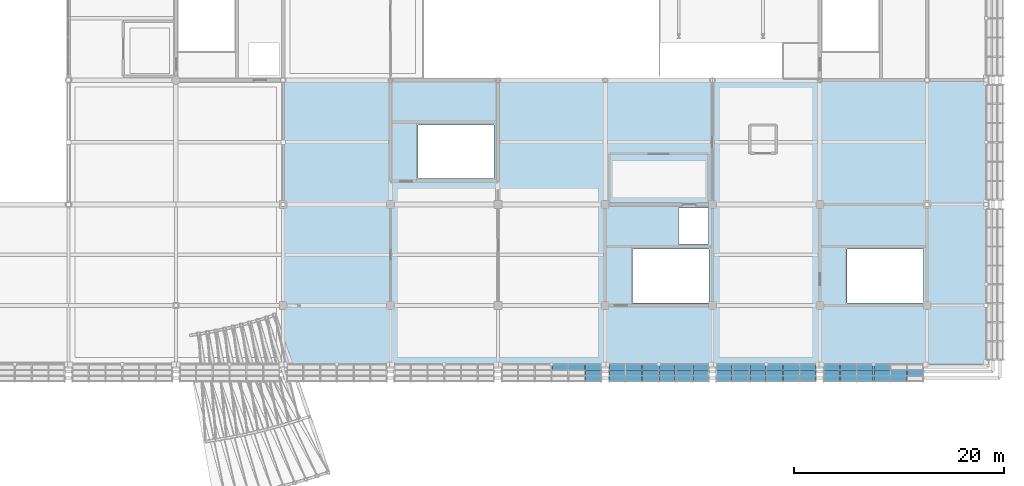
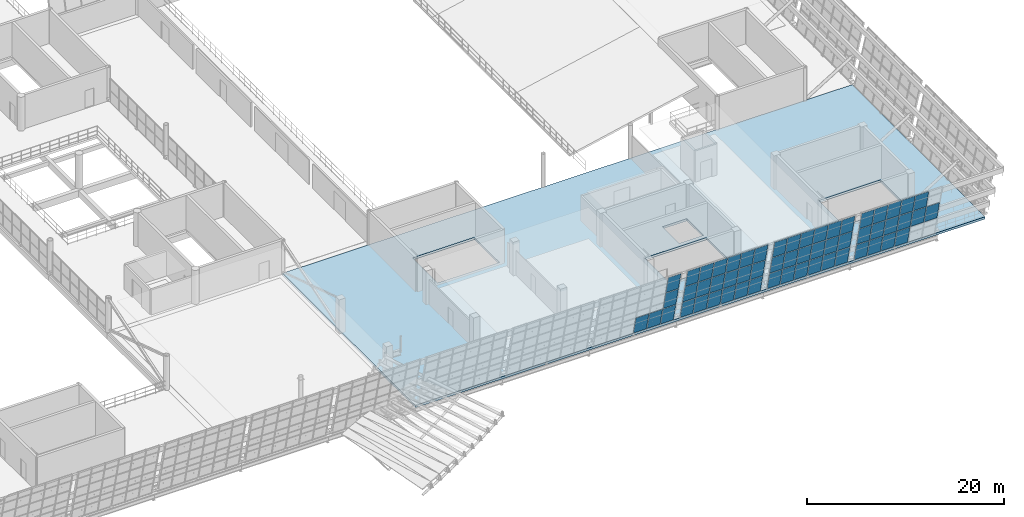
# One storey, part 113 of 157: 56 plates, 1 slab, 4 elements without a shape of their own.
"""IFC4 building model written with IfcOpenShell, lengths in metres."""

from ifc_helpers import new_model, si_unit, direction, frame, origin, place, context, subcontext, project, spatial, polyline, outline, extrude, material, layer, layer_set, type_object, element, aggregate, save


model = new_model("IFC4")

# Units and contexts
model_context = context("Model", 3, precision=1e-05, world=origin(), true_north=direction((0.0, 1.0)))
body_context = subcontext(model_context, "Body", "Model", "MODEL_VIEW")
ifc_project = project(units=[si_unit("LENGTHUNIT", "METRE"), si_unit("AREAUNIT", "SQUARE_METRE"), si_unit("VOLUMEUNIT", "CUBIC_METRE"), si_unit("PLANEANGLEUNIT", "RADIAN"), si_unit("MASSUNIT", "GRAM", prefix="KILO")], contexts=[model_context])

# Site, building, storey
site_placement = place(None, origin())
site = spatial("IfcSite", under=ifc_project, at=site_placement, CompositionType="ELEMENT")
building_placement = place(site_placement, origin())
building = spatial("IfcBuilding", under=site, at=building_placement, Name="Brelvane Convention Centre", CompositionType="ELEMENT")
storey_placement = place(building_placement, frame((0.0, 0.0, 10.800048828125)))
storey = spatial("IfcBuildingStorey", under=building, at=storey_placement, Name="L02", CompositionType="ELEMENT", Elevation=10.800048828125)

# Curtain wall, plates
ifc_material_1 = material(Name="Anodised Aluminium Alloy 6063-T6", Category="aluminium")
curtain_wall_type = type_object("IfcCurtainWallType", Name="Curtain Wall CW-HULL-S", PredefinedType="USERDEFINED", material=ifc_material_1)
curtain_wall_1_placement = place(storey_placement, origin())
curtain_wall_1 = element("IfcCurtainWall", 1, at=curtain_wall_1_placement, inside=storey, type_object=curtain_wall_type, Name="Curtain Wall CW-HULL-S L02-HULL-S-L02-19", ObjectType="UNITISED", PredefinedType="USERDEFINED")
ifc_material_2 = material(Name="Double Glazed Low-E Laminated Unit")
ifc_layer_1 = layer(ifc_material_2, 0.0380859375)
ifc_layer_set_1 = layer_set([ifc_layer_1], Name="Double Glazed Low-E Laminated Unit")
plate_type_1 = type_object("IfcPlateType", Name="Curtain Panel CW-PG2", PredefinedType="CURTAIN_PANEL", material=ifc_layer_set_1)
plate_1_placement = place(storey_placement, frame((191.9267578125, 13.05517578125, 2.3232421875), z_axis=(0.0, 0.973573977576, 0.228371868203), x_axis=(1.0, 0.0, 0.0)))
plate_1 = element("IfcPlate", 2, at=plate_1_placement, type_object=plate_type_1, Name="CW-HULL-S panel 6.2", PredefinedType="CURTAIN_PANEL", context=body_context, shape_type="SweptSolid", body=[
    extrude(outline(polyline([(0.0, 0.0), (1.47314453125, 0.0), (1.47314453125, -2.2631758771022032), (0.0, -2.2631758771022032), (0.0, 0.0)])), origin(), (0.0, 0.0, -1.0), 0.0380859375),
])
plate_2_placement = place(storey_placement, frame((191.9267578125, 12.51953125, 4.606689453125), z_axis=(0.0, 0.973586933466, 0.228316628794), x_axis=(1.0, 0.0, 0.0)))
plate_2 = element("IfcPlate", 3, at=plate_2_placement, type_object=plate_type_1, Name="CW-HULL-S panel 6.3", PredefinedType="CURTAIN_PANEL", context=body_context, shape_type="SweptSolid", body=[
    extrude(outline(polyline([(0.0, 0.0), (1.47314453125, 0.0), (1.47314453125, -2.2220204521674902), (0.0, -2.2220204521674902), (0.0, 0.0)])), origin(), (0.0, 0.0, -1.0), 0.0380859375),
])

curtain_wall_2_placement = place(storey_placement, origin())
curtain_wall_2 = element("IfcCurtainWall", 4, at=curtain_wall_2_placement, inside=storey, type_object=curtain_wall_type, Name="Curtain Wall CW-HULL-S L02-HULL-S-L02-20", ObjectType="UNITISED", PredefinedType="USERDEFINED")
plate_3_placement = place(storey_placement, frame((194.199951171875, 13.05517578125, 2.3232421875), z_axis=(0.0, 0.973573977576, 0.228371868203), x_axis=(1.0, 0.0, 0.0)))
plate_3 = element("IfcPlate", 5, at=plate_3_placement, type_object=plate_type_1, Name="CW-HULL-S panel 1.2", PredefinedType="CURTAIN_PANEL", context=body_context, shape_type="SweptSolid", body=[
    extrude(outline(polyline([(0.0, 0.0), (1.473388671875, 0.0), (1.473388671875, -2.2631758771022032), (0.0, -2.2631758771022032), (0.0, 0.0)])), origin(), (0.0, 0.0, -1.0), 0.0380859375),
])
plate_4_placement = place(storey_placement, frame((194.199951171875, 12.51953125, 4.606689453125), z_axis=(0.0, 0.973586933466, 0.228316628794), x_axis=(1.0, 0.0, 0.0)))
plate_4 = element("IfcPlate", 6, at=plate_4_placement, type_object=plate_type_1, Name="CW-HULL-S panel 1.3", PredefinedType="CURTAIN_PANEL", context=body_context, shape_type="SweptSolid", body=[
    extrude(outline(polyline([(0.0, 0.0), (1.473388671875, 0.0), (1.473388671875, -2.2220204521674902), (0.0, -2.2220204521674902), (0.0, 0.0)])), origin(), (0.0, 0.0, -1.0), 0.0380859375),
])
plate_5_placement = place(storey_placement, frame((195.75341796875, 13.05517578125, 2.3232421875), z_axis=(0.0, 0.973573977576, 0.228371868203), x_axis=(1.0, 0.0, 0.0)))
plate_5 = element("IfcPlate", 7, at=plate_5_placement, type_object=plate_type_1, Name="CW-HULL-S panel 2.2", PredefinedType="CURTAIN_PANEL", context=body_context, shape_type="SweptSolid", body=[
    extrude(outline(polyline([(0.0, 0.0), (1.51318359375, 0.0), (1.51318359375, -2.2631758771022032), (0.0, -2.2631758771022032), (0.0, 0.0)])), origin(), (0.0, 0.0, -1.0), 0.0380859375),
])
plate_6_placement = place(storey_placement, frame((195.75341796875, 12.51953125, 4.606689453125), z_axis=(0.0, 0.973586933466, 0.228316628794), x_axis=(1.0, 0.0, 0.0)))
plate_6 = element("IfcPlate", 8, at=plate_6_placement, type_object=plate_type_1, Name="CW-HULL-S panel 2.3", PredefinedType="CURTAIN_PANEL", context=body_context, shape_type="SweptSolid", body=[
    extrude(outline(polyline([(0.0, 0.0), (1.51318359375, 0.0), (1.51318359375, -2.2220204521674902), (0.0, -2.2220204521674902), (0.0, 0.0)])), origin(), (0.0, 0.0, -1.0), 0.0380859375),
])
plate_7_placement = place(storey_placement, frame((197.3466796875, 13.05517578125, 2.3232421875), z_axis=(0.0, 0.973573977576, 0.228371868203), x_axis=(1.0, 0.0, 0.0)))
plate_7 = element("IfcPlate", 9, at=plate_7_placement, type_object=plate_type_1, Name="CW-HULL-S panel 3.2", PredefinedType="CURTAIN_PANEL", context=body_context, shape_type="SweptSolid", body=[
    extrude(outline(polyline([(0.0, 0.0), (1.513427734375, 0.0), (1.513427734375, -2.2631758771022032), (0.0, -2.2631758771022032), (0.0, 0.0)])), origin(), (0.0, 0.0, -1.0), 0.0380859375),
])
plate_8_placement = place(storey_placement, frame((197.3466796875, 12.51953125, 4.606689453125), z_axis=(0.0, 0.973586933466, 0.228316628794), x_axis=(1.0, 0.0, 0.0)))
plate_8 = element("IfcPlate", 10, at=plate_8_placement, type_object=plate_type_1, Name="CW-HULL-S panel 3.3", PredefinedType="CURTAIN_PANEL", context=body_context, shape_type="SweptSolid", body=[
    extrude(outline(polyline([(0.0, 0.0), (1.513427734375, 0.0), (1.513427734375, -2.2220204521674902), (0.0, -2.2220204521674902), (0.0, 0.0)])), origin(), (0.0, 0.0, -1.0), 0.0380859375),
])
plate_9_placement = place(storey_placement, frame((198.93994140625, 13.05517578125, 2.3232421875), z_axis=(0.0, 0.973573977576, 0.228371868203), x_axis=(1.0, 0.0, 0.0)))
plate_9 = element("IfcPlate", 11, at=plate_9_placement, type_object=plate_type_1, Name="CW-HULL-S panel 4.2", PredefinedType="CURTAIN_PANEL", context=body_context, shape_type="SweptSolid", body=[
    extrude(outline(polyline([(0.0, 0.0), (1.513427734375, 0.0), (1.513427734375, -2.2631758771022032), (0.0, -2.2631758771022032), (0.0, 0.0)])), origin(), (0.0, 0.0, -1.0), 0.0380859375),
])
plate_10_placement = place(storey_placement, frame((198.93994140625, 12.51953125, 4.606689453125), z_axis=(0.0, 0.973586933466, 0.228316628794), x_axis=(1.0, 0.0, 0.0)))
plate_10 = element("IfcPlate", 12, at=plate_10_placement, type_object=plate_type_1, Name="CW-HULL-S panel 4.3", PredefinedType="CURTAIN_PANEL", context=body_context, shape_type="SweptSolid", body=[
    extrude(outline(polyline([(0.0, 0.0), (1.513427734375, 0.0), (1.513427734375, -2.2220204521674902), (0.0, -2.2220204521674902), (0.0, 0.0)])), origin(), (0.0, 0.0, -1.0), 0.0380859375),
])
plate_11_placement = place(storey_placement, frame((200.533447265625, 13.05517578125, 2.3232421875), z_axis=(0.0, 0.973573977576, 0.228371868203), x_axis=(1.0, 0.0, 0.0)))
plate_11 = element("IfcPlate", 13, at=plate_11_placement, type_object=plate_type_1, Name="CW-HULL-S panel 5.2", PredefinedType="CURTAIN_PANEL", context=body_context, shape_type="SweptSolid", body=[
    extrude(outline(polyline([(0.0, 0.0), (1.51318359375, 0.0), (1.51318359375, -2.2631758771022032), (0.0, -2.2631758771022032), (0.0, 0.0)])), origin(), (0.0, 0.0, -1.0), 0.0380859375),
])
plate_12_placement = place(storey_placement, frame((200.533447265625, 12.51953125, 4.606689453125), z_axis=(0.0, 0.973586933466, 0.228316628794), x_axis=(1.0, 0.0, 0.0)))
plate_12 = element("IfcPlate", 14, at=plate_12_placement, type_object=plate_type_1, Name="CW-HULL-S panel 5.3", PredefinedType="CURTAIN_PANEL", context=body_context, shape_type="SweptSolid", body=[
    extrude(outline(polyline([(0.0, 0.0), (1.51318359375, 0.0), (1.51318359375, -2.2220204521674902), (0.0, -2.2220204521674902), (0.0, 0.0)])), origin(), (0.0, 0.0, -1.0), 0.0380859375),
])
plate_13_placement = place(storey_placement, frame((202.126708984375, 13.05517578125, 2.3232421875), z_axis=(0.0, 0.973573977576, 0.228371868203), x_axis=(1.0, 0.0, 0.0)))
plate_13 = element("IfcPlate", 15, at=plate_13_placement, type_object=plate_type_1, Name="CW-HULL-S panel 6.2", PredefinedType="CURTAIN_PANEL", context=body_context, shape_type="SweptSolid", body=[
    extrude(outline(polyline([(0.0, 0.0), (1.473388671875, 0.0), (1.473388671875, -2.2631758771022032), (0.0, -2.2631758771022032), (0.0, 0.0)])), origin(), (0.0, 0.0, -1.0), 0.0380859375),
])
plate_14_placement = place(storey_placement, frame((202.126708984375, 12.51953125, 4.606689453125), z_axis=(0.0, 0.973586933466, 0.228316628794), x_axis=(1.0, 0.0, 0.0)))
plate_14 = element("IfcPlate", 16, at=plate_14_placement, type_object=plate_type_1, Name="CW-HULL-S panel 6.3", PredefinedType="CURTAIN_PANEL", context=body_context, shape_type="SweptSolid", body=[
    extrude(outline(polyline([(0.0, 0.0), (1.473388671875, 0.0), (1.473388671875, -2.2220204521674902), (0.0, -2.2220204521674902), (0.0, 0.0)])), origin(), (0.0, 0.0, -1.0), 0.0380859375),
])

curtain_wall_3_placement = place(storey_placement, origin())
curtain_wall_3 = element("IfcCurtainWall", 17, at=curtain_wall_3_placement, inside=storey, type_object=curtain_wall_type, Name="Curtain Wall CW-HULL-S L02-HULL-S-L02-21", ObjectType="UNITISED", PredefinedType="USERDEFINED")
plate_15_placement = place(storey_placement, frame((204.39990234375, 13.05517578125, 2.3232421875), z_axis=(0.0, 0.973573977576, 0.228371868203), x_axis=(1.0, 0.0, 0.0)))
plate_15 = element("IfcPlate", 18, at=plate_15_placement, type_object=plate_type_1, Name="CW-HULL-S panel 1.2", PredefinedType="CURTAIN_PANEL", context=body_context, shape_type="SweptSolid", body=[
    extrude(outline(polyline([(0.0, 0.0), (1.473388671875, 0.0), (1.473388671875, -2.2631758771022032), (0.0, -2.2631758771022032), (0.0, 0.0)])), origin(), (0.0, 0.0, -1.0), 0.0380859375),
])
plate_16_placement = place(storey_placement, frame((204.39990234375, 12.51953125, 4.606689453125), z_axis=(0.0, 0.973586933466, 0.228316628794), x_axis=(1.0, 0.0, 0.0)))
plate_16 = element("IfcPlate", 19, at=plate_16_placement, type_object=plate_type_1, Name="CW-HULL-S panel 1.3", PredefinedType="CURTAIN_PANEL", context=body_context, shape_type="SweptSolid", body=[
    extrude(outline(polyline([(0.0, 0.0), (1.473388671875, 0.0), (1.473388671875, -2.2220204521674902), (0.0, -2.2220204521674902), (0.0, 0.0)])), origin(), (0.0, 0.0, -1.0), 0.0380859375),
])
plate_17_placement = place(storey_placement, frame((205.953369140625, 13.05517578125, 2.3232421875), z_axis=(0.0, 0.973573977576, 0.228371868203), x_axis=(1.0, 0.0, 0.0)))
plate_17 = element("IfcPlate", 20, at=plate_17_placement, type_object=plate_type_1, Name="CW-HULL-S panel 2.2", PredefinedType="CURTAIN_PANEL", context=body_context, shape_type="SweptSolid", body=[
    extrude(outline(polyline([(0.0, 0.0), (1.51318359375, 0.0), (1.51318359375, -2.2631758771022032), (0.0, -2.2631758771022032), (0.0, 0.0)])), origin(), (0.0, 0.0, -1.0), 0.0380859375),
])
plate_18_placement = place(storey_placement, frame((205.953369140625, 12.51953125, 4.606689453125), z_axis=(0.0, 0.973586933466, 0.228316628794), x_axis=(1.0, 0.0, 0.0)))
plate_18 = element("IfcPlate", 21, at=plate_18_placement, type_object=plate_type_1, Name="CW-HULL-S panel 2.3", PredefinedType="CURTAIN_PANEL", context=body_context, shape_type="SweptSolid", body=[
    extrude(outline(polyline([(0.0, 0.0), (1.51318359375, 0.0), (1.51318359375, -2.2220204521674902), (0.0, -2.2220204521674902), (0.0, 0.0)])), origin(), (0.0, 0.0, -1.0), 0.0380859375),
])
plate_19_placement = place(storey_placement, frame((207.546630859375, 13.05517578125, 2.3232421875), z_axis=(0.0, 0.973573977576, 0.228371868203), x_axis=(1.0, 0.0, 0.0)))
plate_19 = element("IfcPlate", 22, at=plate_19_placement, type_object=plate_type_1, Name="CW-HULL-S panel 3.2", PredefinedType="CURTAIN_PANEL", context=body_context, shape_type="SweptSolid", body=[
    extrude(outline(polyline([(0.0, 0.0), (1.513427734375, 0.0), (1.513427734375, -2.2631758771022032), (0.0, -2.2631758771022032), (0.0, 0.0)])), origin(), (0.0, 0.0, -1.0), 0.0380859375),
])
plate_20_placement = place(storey_placement, frame((207.546630859375, 12.51953125, 4.606689453125), z_axis=(0.0, 0.973586933466, 0.228316628794), x_axis=(1.0, 0.0, 0.0)))
plate_20 = element("IfcPlate", 23, at=plate_20_placement, type_object=plate_type_1, Name="CW-HULL-S panel 3.3", PredefinedType="CURTAIN_PANEL", context=body_context, shape_type="SweptSolid", body=[
    extrude(outline(polyline([(0.0, 0.0), (1.513427734375, 0.0), (1.513427734375, -2.2220204521674902), (0.0, -2.2220204521674902), (0.0, 0.0)])), origin(), (0.0, 0.0, -1.0), 0.0380859375),
])
plate_21_placement = place(storey_placement, frame((209.139892578125, 13.05517578125, 2.3232421875), z_axis=(0.0, 0.973573977576, 0.228371868203), x_axis=(1.0, 0.0, 0.0)))
plate_21 = element("IfcPlate", 24, at=plate_21_placement, type_object=plate_type_1, Name="CW-HULL-S panel 4.2", PredefinedType="CURTAIN_PANEL", context=body_context, shape_type="SweptSolid", body=[
    extrude(outline(polyline([(0.0, 0.0), (1.513427734375, 0.0), (1.513427734375, -2.2631758771022032), (0.0, -2.2631758771022032), (0.0, 0.0)])), origin(), (0.0, 0.0, -1.0), 0.0380859375),
])
plate_22_placement = place(storey_placement, frame((209.139892578125, 12.51953125, 4.606689453125), z_axis=(0.0, 0.973586933466, 0.228316628794), x_axis=(1.0, 0.0, 0.0)))
plate_22 = element("IfcPlate", 25, at=plate_22_placement, type_object=plate_type_1, Name="CW-HULL-S panel 4.3", PredefinedType="CURTAIN_PANEL", context=body_context, shape_type="SweptSolid", body=[
    extrude(outline(polyline([(0.0, 0.0), (1.513427734375, 0.0), (1.513427734375, -2.2220204521674902), (0.0, -2.2220204521674902), (0.0, 0.0)])), origin(), (0.0, 0.0, -1.0), 0.0380859375),
])
plate_23_placement = place(storey_placement, frame((210.7333984375, 13.05517578125, 2.3232421875), z_axis=(0.0, 0.973573977576, 0.228371868203), x_axis=(1.0, 0.0, 0.0)))
plate_23 = element("IfcPlate", 26, at=plate_23_placement, type_object=plate_type_1, Name="CW-HULL-S panel 5.2", PredefinedType="CURTAIN_PANEL", context=body_context, shape_type="SweptSolid", body=[
    extrude(outline(polyline([(0.0, 0.0), (1.51318359375, 0.0), (1.51318359375, -2.2631758771022032), (0.0, -2.2631758771022032), (0.0, 0.0)])), origin(), (0.0, 0.0, -1.0), 0.0380859375),
])
plate_24_placement = place(storey_placement, frame((210.7333984375, 12.51953125, 4.606689453125), z_axis=(0.0, 0.973586933466, 0.228316628794), x_axis=(1.0, 0.0, 0.0)))
plate_24 = element("IfcPlate", 27, at=plate_24_placement, type_object=plate_type_1, Name="CW-HULL-S panel 5.3", PredefinedType="CURTAIN_PANEL", context=body_context, shape_type="SweptSolid", body=[
    extrude(outline(polyline([(0.0, 0.0), (1.51318359375, 0.0), (1.51318359375, -2.2220204521674902), (0.0, -2.2220204521674902), (0.0, 0.0)])), origin(), (0.0, 0.0, -1.0), 0.0380859375),
])
plate_25_placement = place(storey_placement, frame((212.32666015625, 13.05517578125, 2.3232421875), z_axis=(0.0, 0.973573977576, 0.228371868203), x_axis=(1.0, 0.0, 0.0)))
plate_25 = element("IfcPlate", 28, at=plate_25_placement, type_object=plate_type_1, Name="CW-HULL-S panel 6.2", PredefinedType="CURTAIN_PANEL", context=body_context, shape_type="SweptSolid", body=[
    extrude(outline(polyline([(0.0, 0.0), (1.473388671875, 0.0), (1.473388671875, -2.2631758771022032), (0.0, -2.2631758771022032), (0.0, 0.0)])), origin(), (0.0, 0.0, -1.0), 0.0380859375),
])
plate_26_placement = place(storey_placement, frame((212.32666015625, 12.51953125, 4.606689453125), z_axis=(0.0, 0.973586933466, 0.228316628794), x_axis=(1.0, 0.0, 0.0)))
plate_26 = element("IfcPlate", 29, at=plate_26_placement, type_object=plate_type_1, Name="CW-HULL-S panel 6.3", PredefinedType="CURTAIN_PANEL", context=body_context, shape_type="SweptSolid", body=[
    extrude(outline(polyline([(0.0, 0.0), (1.473388671875, 0.0), (1.473388671875, -2.2220204521674902), (0.0, -2.2220204521674902), (0.0, 0.0)])), origin(), (0.0, 0.0, -1.0), 0.0380859375),
])

curtain_wall_4_placement = place(storey_placement, origin())
curtain_wall_4 = element("IfcCurtainWall", 30, at=curtain_wall_4_placement, inside=storey, type_object=curtain_wall_type, Name="Curtain Wall CW-HULL-S L02-HULL-S-L02-22", ObjectType="UNITISED", PredefinedType="USERDEFINED")
plate_27_placement = place(storey_placement, frame((214.60009765625, 13.05517578125, 2.3232421875), z_axis=(0.0, 0.973573977576, 0.228371868203), x_axis=(1.0, 0.0, 0.0)))
plate_27 = element("IfcPlate", 31, at=plate_27_placement, type_object=plate_type_1, Name="CW-HULL-S panel 1.2", PredefinedType="CURTAIN_PANEL", context=body_context, shape_type="SweptSolid", body=[
    extrude(outline(polyline([(0.0, 0.0), (1.47314453125, 0.0), (1.47314453125, -2.2631758771022032), (0.0, -2.2631758771022032), (0.0, 0.0)])), origin(), (0.0, 0.0, -1.0), 0.0380859375),
])
plate_28_placement = place(storey_placement, frame((214.60009765625, 12.51953125, 4.606689453125), z_axis=(0.0, 0.973586933466, 0.228316628794), x_axis=(1.0, 0.0, 0.0)))
plate_28 = element("IfcPlate", 32, at=plate_28_placement, type_object=plate_type_1, Name="CW-HULL-S panel 1.3", PredefinedType="CURTAIN_PANEL", context=body_context, shape_type="SweptSolid", body=[
    extrude(outline(polyline([(0.0, 0.0), (1.47314453125, 0.0), (1.47314453125, -2.2220204521674902), (0.0, -2.2220204521674902), (0.0, 0.0)])), origin(), (0.0, 0.0, -1.0), 0.0380859375),
])
plate_29_placement = place(storey_placement, frame((216.1533203125, 13.05517578125, 2.3232421875), z_axis=(0.0, 0.973573977576, 0.228371868203), x_axis=(1.0, 0.0, 0.0)))
plate_29 = element("IfcPlate", 33, at=plate_29_placement, type_object=plate_type_1, Name="CW-HULL-S panel 2.2", PredefinedType="CURTAIN_PANEL", context=body_context, shape_type="SweptSolid", body=[
    extrude(outline(polyline([(0.0, 0.0), (1.513427734375, 0.0), (1.513427734375, -2.2631758771022032), (0.0, -2.2631758771022032), (0.0, 0.0)])), origin(), (0.0, 0.0, -1.0), 0.0380859375),
])
plate_30_placement = place(storey_placement, frame((216.1533203125, 12.51953125, 4.606689453125), z_axis=(0.0, 0.973586933466, 0.228316628794), x_axis=(1.0, 0.0, 0.0)))
plate_30 = element("IfcPlate", 34, at=plate_30_placement, type_object=plate_type_1, Name="CW-HULL-S panel 2.3", PredefinedType="CURTAIN_PANEL", context=body_context, shape_type="SweptSolid", body=[
    extrude(outline(polyline([(0.0, 0.0), (1.513427734375, 0.0), (1.513427734375, -2.2220204521674902), (0.0, -2.2220204521674902), (0.0, 0.0)])), origin(), (0.0, 0.0, -1.0), 0.0380859375),
])
plate_31_placement = place(storey_placement, frame((217.74658203125, 13.05517578125, 2.3232421875), z_axis=(0.0, 0.973573977576, 0.228371868203), x_axis=(1.0, 0.0, 0.0)))
plate_31 = element("IfcPlate", 35, at=plate_31_placement, type_object=plate_type_1, Name="CW-HULL-S panel 3.2", PredefinedType="CURTAIN_PANEL", context=body_context, shape_type="SweptSolid", body=[
    extrude(outline(polyline([(0.0, 0.0), (1.513427734375, 0.0), (1.513427734375, -2.2631758771022032), (0.0, -2.2631758771022032), (0.0, 0.0)])), origin(), (0.0, 0.0, -1.0), 0.0380859375),
])
plate_32_placement = place(storey_placement, frame((217.74658203125, 12.51953125, 4.606689453125), z_axis=(0.0, 0.973586933466, 0.228316628794), x_axis=(1.0, 0.0, 0.0)))
plate_32 = element("IfcPlate", 36, at=plate_32_placement, type_object=plate_type_1, Name="CW-HULL-S panel 3.3", PredefinedType="CURTAIN_PANEL", context=body_context, shape_type="SweptSolid", body=[
    extrude(outline(polyline([(0.0, 0.0), (1.513427734375, 0.0), (1.513427734375, -2.2220204521674902), (0.0, -2.2220204521674902), (0.0, 0.0)])), origin(), (0.0, 0.0, -1.0), 0.0380859375),
])
plate_33_placement = place(storey_placement, frame((219.340087890625, 13.05517578125, 2.3232421875), z_axis=(0.0, 0.973573977576, 0.228371868203), x_axis=(1.0, 0.0, 0.0)))
plate_33 = element("IfcPlate", 37, at=plate_33_placement, type_object=plate_type_1, Name="CW-HULL-S panel 4.2", PredefinedType="CURTAIN_PANEL", context=body_context, shape_type="SweptSolid", body=[
    extrude(outline(polyline([(0.0, 0.0), (1.51318359375, 0.0), (1.51318359375, -2.2631758771022032), (0.0, -2.2631758771022032), (0.0, 0.0)])), origin(), (0.0, 0.0, -1.0), 0.0380859375),
])
plate_34_placement = place(storey_placement, frame((219.340087890625, 12.51953125, 4.606689453125), z_axis=(0.0, 0.973586933466, 0.228316628794), x_axis=(1.0, 0.0, 0.0)))
plate_34 = element("IfcPlate", 38, at=plate_34_placement, type_object=plate_type_1, Name="CW-HULL-S panel 4.3", PredefinedType="CURTAIN_PANEL", context=body_context, shape_type="SweptSolid", body=[
    extrude(outline(polyline([(0.0, 0.0), (1.51318359375, 0.0), (1.51318359375, -2.2220204521674902), (0.0, -2.2220204521674902), (0.0, 0.0)])), origin(), (0.0, 0.0, -1.0), 0.0380859375),
])
plate_35_placement = place(storey_placement, frame((220.933349609375, 13.05517578125, 2.3232421875), z_axis=(0.0, 0.973573977576, 0.228371868203), x_axis=(1.0, 0.0, 0.0)))
plate_35 = element("IfcPlate", 39, at=plate_35_placement, type_object=plate_type_1, Name="CW-HULL-S panel 5.2", PredefinedType="CURTAIN_PANEL", context=body_context, shape_type="SweptSolid", body=[
    extrude(outline(polyline([(0.0, 0.0), (1.513427734375, 0.0), (1.513427734375, -2.2631758771022032), (0.0, -2.2631758771022032), (0.0, 0.0)])), origin(), (0.0, 0.0, -1.0), 0.0380859375),
])
plate_36_placement = place(storey_placement, frame((220.933349609375, 12.51953125, 4.606689453125), z_axis=(0.0, 0.973586933466, 0.228316628794), x_axis=(1.0, 0.0, 0.0)))
plate_36 = element("IfcPlate", 40, at=plate_36_placement, type_object=plate_type_1, Name="CW-HULL-S panel 5.3", PredefinedType="CURTAIN_PANEL", context=body_context, shape_type="SweptSolid", body=[
    extrude(outline(polyline([(0.0, 0.0), (1.513427734375, 0.0), (1.513427734375, -2.2220204521674902), (0.0, -2.2220204521674902), (0.0, 0.0)])), origin(), (0.0, 0.0, -1.0), 0.0380859375),
])
plate_37_placement = place(storey_placement, frame((222.526611328125, 13.05517578125, 2.3232421875), z_axis=(0.0, 0.973573977576, 0.228371868203), x_axis=(1.0, 0.0, 0.0)))
plate_37 = element("IfcPlate", 41, at=plate_37_placement, type_object=plate_type_1, Name="CW-HULL-S panel 6.2", PredefinedType="CURTAIN_PANEL", context=body_context, shape_type="SweptSolid", body=[
    extrude(outline(polyline([(0.0, 0.0), (1.473388671875, 0.0), (1.473388671875, -2.2631758771022032), (0.0, -2.2631758771022032), (0.0, 0.0)])), origin(), (0.0, 0.0, -1.0), 0.0380859375),
])

# Plate
ifc_material_3 = material(Name="Patinated Copper-Bronze Alloy C22000")
ifc_layer_2 = layer(ifc_material_3, 0.055908203125)
ifc_layer_set_2 = layer_set([ifc_layer_2], Name="Patinated Copper-Bronze Alloy C22000")
plate_type_2 = type_object("IfcPlateType", Name="Curtain Panel CW-PS2", PredefinedType="CURTAIN_PANEL", material=ifc_layer_set_2)
plate_38_placement = place(storey_placement, frame((188.739990234375, 13.581298828125, 0.079833984375), z_axis=(0.0, 0.973562505213, 0.228420770606), x_axis=(1.0, 0.0, 0.0)))
plate_38 = element("IfcPlate", 42, at=plate_38_placement, type_object=plate_type_2, Name="CW-HULL-S panel 4.1", PredefinedType="CURTAIN_PANEL", context=body_context, shape_type="SweptSolid", body=[
    extrude(outline(polyline([(0.0, 0.0), (1.513427734375, 0.0), (1.513427734375, -2.2220762062447244), (0.0, -2.2220762062447244), (0.0, 0.0)])), origin(), (0.0, 0.0, -1.0), 0.0380859375),
])

plate_39_placement = place(storey_placement, frame((190.333251953125, 13.581298828125, 0.079833984375), z_axis=(0.0, 0.973562505213, 0.228420770606), x_axis=(1.0, 0.0, 0.0)))
plate_39 = element("IfcPlate", 43, at=plate_39_placement, type_object=plate_type_2, Name="CW-HULL-S panel 5.1", PredefinedType="CURTAIN_PANEL", context=body_context, shape_type="SweptSolid", body=[
    extrude(outline(polyline([(0.0, 0.0), (1.513427734375, 0.0), (1.513427734375, -2.2220762062447244), (0.0, -2.2220762062447244), (0.0, 0.0)])), origin(), (0.0, 0.0, -1.0), 0.0380859375),
])

plate_40_placement = place(storey_placement, frame((191.9267578125, 13.581298828125, 0.079833984375), z_axis=(0.0, 0.973562505213, 0.228420770606), x_axis=(1.0, 0.0, 0.0)))
plate_40 = element("IfcPlate", 44, at=plate_40_placement, type_object=plate_type_2, Name="CW-HULL-S panel 6.1", PredefinedType="CURTAIN_PANEL", context=body_context, shape_type="SweptSolid", body=[
    extrude(outline(polyline([(0.0, 0.0), (1.47314453125, 0.0), (1.47314453125, -2.222076206244725), (0.0, -2.222076206244725), (0.0, 0.0)])), origin(), (0.0, 0.0, -1.0), 0.0380859375),
])

aggregate(curtain_wall_1, [plate_38, plate_39, plate_40, plate_1, plate_2])

plate_41_placement = place(storey_placement, frame((194.199951171875, 13.581298828125, 0.079833984375), z_axis=(0.0, 0.973562505213, 0.228420770606), x_axis=(1.0, 0.0, 0.0)))
plate_41 = element("IfcPlate", 45, at=plate_41_placement, type_object=plate_type_2, Name="CW-HULL-S panel 1.1", PredefinedType="CURTAIN_PANEL", context=body_context, shape_type="SweptSolid", body=[
    extrude(outline(polyline([(0.0, 0.0), (1.473388671875, 0.0), (1.473388671875, -2.222076206244725), (0.0, -2.222076206244725), (0.0, 0.0)])), origin(), (0.0, 0.0, -1.0), 0.0380859375),
])

plate_42_placement = place(storey_placement, frame((195.75341796875, 13.581298828125, 0.079833984375), z_axis=(0.0, 0.973562505213, 0.228420770606), x_axis=(1.0, 0.0, 0.0)))
plate_42 = element("IfcPlate", 46, at=plate_42_placement, type_object=plate_type_2, Name="CW-HULL-S panel 2.1", PredefinedType="CURTAIN_PANEL", context=body_context, shape_type="SweptSolid", body=[
    extrude(outline(polyline([(0.0, 0.0), (1.51318359375, 0.0), (1.51318359375, -2.2220762062447244), (0.0, -2.2220762062447244), (0.0, 0.0)])), origin(), (0.0, 0.0, -1.0), 0.0380859375),
])

plate_43_placement = place(storey_placement, frame((197.3466796875, 13.581298828125, 0.079833984375), z_axis=(0.0, 0.973562505213, 0.228420770606), x_axis=(1.0, 0.0, 0.0)))
plate_43 = element("IfcPlate", 47, at=plate_43_placement, type_object=plate_type_2, Name="CW-HULL-S panel 3.1", PredefinedType="CURTAIN_PANEL", context=body_context, shape_type="SweptSolid", body=[
    extrude(outline(polyline([(0.0, 0.0), (1.513427734375, 0.0), (1.513427734375, -2.2220762062447244), (0.0, -2.2220762062447244), (0.0, 0.0)])), origin(), (0.0, 0.0, -1.0), 0.0380859375),
])

plate_44_placement = place(storey_placement, frame((198.93994140625, 13.581298828125, 0.079833984375), z_axis=(0.0, 0.973562505213, 0.228420770606), x_axis=(1.0, 0.0, 0.0)))
plate_44 = element("IfcPlate", 48, at=plate_44_placement, type_object=plate_type_2, Name="CW-HULL-S panel 4.1", PredefinedType="CURTAIN_PANEL", context=body_context, shape_type="SweptSolid", body=[
    extrude(outline(polyline([(0.0, 0.0), (1.513427734375, 0.0), (1.513427734375, -2.2220762062447244), (0.0, -2.2220762062447244), (0.0, 0.0)])), origin(), (0.0, 0.0, -1.0), 0.0380859375),
])

plate_45_placement = place(storey_placement, frame((200.533447265625, 13.581298828125, 0.079833984375), z_axis=(0.0, 0.973562505213, 0.228420770606), x_axis=(1.0, 0.0, 0.0)))
plate_45 = element("IfcPlate", 49, at=plate_45_placement, type_object=plate_type_2, Name="CW-HULL-S panel 5.1", PredefinedType="CURTAIN_PANEL", context=body_context, shape_type="SweptSolid", body=[
    extrude(outline(polyline([(0.0, 0.0), (1.51318359375, 0.0), (1.51318359375, -2.2220762062447244), (0.0, -2.2220762062447244), (0.0, 0.0)])), origin(), (0.0, 0.0, -1.0), 0.0380859375),
])

plate_46_placement = place(storey_placement, frame((202.126708984375, 13.581298828125, 0.079833984375), z_axis=(0.0, 0.973562505213, 0.228420770606), x_axis=(1.0, 0.0, 0.0)))
plate_46 = element("IfcPlate", 50, at=plate_46_placement, type_object=plate_type_2, Name="CW-HULL-S panel 6.1", PredefinedType="CURTAIN_PANEL", context=body_context, shape_type="SweptSolid", body=[
    extrude(outline(polyline([(0.0, 0.0), (1.473388671875, 0.0), (1.473388671875, -2.222076206244725), (0.0, -2.222076206244725), (0.0, 0.0)])), origin(), (0.0, 0.0, -1.0), 0.0380859375),
])

aggregate(curtain_wall_2, [plate_41, plate_3, plate_4, plate_42, plate_5, plate_6, plate_43, plate_7, plate_8, plate_44, plate_9, plate_10, plate_45, plate_11, plate_12, plate_46, plate_13, plate_14])

plate_47_placement = place(storey_placement, frame((204.39990234375, 13.581298828125, 0.079833984375), z_axis=(0.0, 0.973562505213, 0.228420770606), x_axis=(1.0, 0.0, 0.0)))
plate_47 = element("IfcPlate", 51, at=plate_47_placement, type_object=plate_type_2, Name="CW-HULL-S panel 1.1", PredefinedType="CURTAIN_PANEL", context=body_context, shape_type="SweptSolid", body=[
    extrude(outline(polyline([(0.0, 0.0), (1.473388671875, 0.0), (1.473388671875, -2.222076206244725), (0.0, -2.222076206244725), (0.0, 0.0)])), origin(), (0.0, 0.0, -1.0), 0.0380859375),
])

plate_48_placement = place(storey_placement, frame((205.953369140625, 13.581298828125, 0.079833984375), z_axis=(0.0, 0.973562505213, 0.228420770606), x_axis=(1.0, 0.0, 0.0)))
plate_48 = element("IfcPlate", 52, at=plate_48_placement, type_object=plate_type_2, Name="CW-HULL-S panel 2.1", PredefinedType="CURTAIN_PANEL", context=body_context, shape_type="SweptSolid", body=[
    extrude(outline(polyline([(0.0, 0.0), (1.51318359375, 0.0), (1.51318359375, -2.2220762062447244), (0.0, -2.2220762062447244), (0.0, 0.0)])), origin(), (0.0, 0.0, -1.0), 0.0380859375),
])

plate_49_placement = place(storey_placement, frame((207.546630859375, 13.581298828125, 0.079833984375), z_axis=(0.0, 0.973562505213, 0.228420770606), x_axis=(1.0, 0.0, 0.0)))
plate_49 = element("IfcPlate", 53, at=plate_49_placement, type_object=plate_type_2, Name="CW-HULL-S panel 3.1", PredefinedType="CURTAIN_PANEL", context=body_context, shape_type="SweptSolid", body=[
    extrude(outline(polyline([(0.0, 0.0), (1.513427734375, 0.0), (1.513427734375, -2.2220762062447244), (0.0, -2.2220762062447244), (0.0, 0.0)])), origin(), (0.0, 0.0, -1.0), 0.0380859375),
])

plate_50_placement = place(storey_placement, frame((209.139892578125, 13.581298828125, 0.079833984375), z_axis=(0.0, 0.973562505213, 0.228420770606), x_axis=(1.0, 0.0, 0.0)))
plate_50 = element("IfcPlate", 54, at=plate_50_placement, type_object=plate_type_2, Name="CW-HULL-S panel 4.1", PredefinedType="CURTAIN_PANEL", context=body_context, shape_type="SweptSolid", body=[
    extrude(outline(polyline([(0.0, 0.0), (1.513427734375, 0.0), (1.513427734375, -2.2220762062447244), (0.0, -2.2220762062447244), (0.0, 0.0)])), origin(), (0.0, 0.0, -1.0), 0.0380859375),
])

plate_51_placement = place(storey_placement, frame((210.7333984375, 13.581298828125, 0.079833984375), z_axis=(0.0, 0.973562505213, 0.228420770606), x_axis=(1.0, 0.0, 0.0)))
plate_51 = element("IfcPlate", 55, at=plate_51_placement, type_object=plate_type_2, Name="CW-HULL-S panel 5.1", PredefinedType="CURTAIN_PANEL", context=body_context, shape_type="SweptSolid", body=[
    extrude(outline(polyline([(0.0, 0.0), (1.51318359375, 0.0), (1.51318359375, -2.2220762062447244), (0.0, -2.2220762062447244), (0.0, 0.0)])), origin(), (0.0, 0.0, -1.0), 0.0380859375),
])

plate_52_placement = place(storey_placement, frame((212.32666015625, 13.581298828125, 0.079833984375), z_axis=(0.0, 0.973562505213, 0.228420770606), x_axis=(1.0, 0.0, 0.0)))
plate_52 = element("IfcPlate", 56, at=plate_52_placement, type_object=plate_type_2, Name="CW-HULL-S panel 6.1", PredefinedType="CURTAIN_PANEL", context=body_context, shape_type="SweptSolid", body=[
    extrude(outline(polyline([(0.0, 0.0), (1.473388671875, 0.0), (1.473388671875, -2.222076206244725), (0.0, -2.222076206244725), (0.0, 0.0)])), origin(), (0.0, 0.0, -1.0), 0.0380859375),
])

aggregate(curtain_wall_3, [plate_47, plate_15, plate_16, plate_48, plate_17, plate_18, plate_49, plate_19, plate_20, plate_50, plate_21, plate_22, plate_51, plate_23, plate_24, plate_52, plate_25, plate_26])

plate_53_placement = place(storey_placement, frame((214.60009765625, 13.581298828125, 0.079833984375), z_axis=(0.0, 0.973562505213, 0.228420770606), x_axis=(1.0, 0.0, 0.0)))
plate_53 = element("IfcPlate", 57, at=plate_53_placement, type_object=plate_type_2, Name="CW-HULL-S panel 1.1", PredefinedType="CURTAIN_PANEL", context=body_context, shape_type="SweptSolid", body=[
    extrude(outline(polyline([(0.0, 0.0), (1.47314453125, 0.0), (1.47314453125, -2.222076206244725), (0.0, -2.222076206244725), (0.0, 0.0)])), origin(), (0.0, 0.0, -1.0), 0.0380859375),
])

plate_54_placement = place(storey_placement, frame((216.1533203125, 13.581298828125, 0.079833984375), z_axis=(0.0, 0.973562505213, 0.228420770606), x_axis=(1.0, 0.0, 0.0)))
plate_54 = element("IfcPlate", 58, at=plate_54_placement, type_object=plate_type_2, Name="CW-HULL-S panel 2.1", PredefinedType="CURTAIN_PANEL", context=body_context, shape_type="SweptSolid", body=[
    extrude(outline(polyline([(0.0, 0.0), (1.513427734375, 0.0), (1.513427734375, -2.2220762062447244), (0.0, -2.2220762062447244), (0.0, 0.0)])), origin(), (0.0, 0.0, -1.0), 0.0380859375),
])

plate_55_placement = place(storey_placement, frame((217.74658203125, 13.581298828125, 0.079833984375), z_axis=(0.0, 0.973562505213, 0.228420770606), x_axis=(1.0, 0.0, 0.0)))
plate_55 = element("IfcPlate", 59, at=plate_55_placement, type_object=plate_type_2, Name="CW-HULL-S panel 3.1", PredefinedType="CURTAIN_PANEL", context=body_context, shape_type="SweptSolid", body=[
    extrude(outline(polyline([(0.0, 0.0), (1.513427734375, 0.0), (1.513427734375, -2.2220762062447244), (0.0, -2.2220762062447244), (0.0, 0.0)])), origin(), (0.0, 0.0, -1.0), 0.0380859375),
])

plate_56_placement = place(storey_placement, frame((219.340087890625, 13.581298828125, 0.079833984375), z_axis=(0.0, 0.973562505213, 0.228420770606), x_axis=(1.0, 0.0, 0.0)))
plate_56 = element("IfcPlate", 60, at=plate_56_placement, type_object=plate_type_2, Name="CW-HULL-S panel 4.1", PredefinedType="CURTAIN_PANEL", context=body_context, shape_type="SweptSolid", body=[
    extrude(outline(polyline([(0.0, 0.0), (1.51318359375, 0.0), (1.51318359375, -2.2220762062447244), (0.0, -2.2220762062447244), (0.0, 0.0)])), origin(), (0.0, 0.0, -1.0), 0.0380859375),
])

aggregate(curtain_wall_4, [plate_53, plate_27, plate_28, plate_54, plate_29, plate_30, plate_55, plate_31, plate_32, plate_56, plate_33, plate_34, plate_35, plate_36, plate_37])

# Slab
ifc_material_4 = material(Name="Concrete M40", Category="concrete")
ifc_layer_3 = layer(ifc_material_4, 0.280029296875)
ifc_layer_set_3 = layer_set([ifc_layer_3], Name="Concrete M40")
slab_type = type_object("IfcSlabType", Name="Structural Slab SL-FLR-280", PredefinedType="FLOOR", material=ifc_layer_set_3)
slab_placement = place(storey_placement, frame((0.0, 0.0, -0.280029296875)))
element("IfcSlab", 61, at=slab_placement, inside=storey, type_object=slab_type, Name="L02 Floor Slab BUS", PredefinedType="FLOOR", context=body_context, shape_type="SweptSolid", body=[
    extrude(outline(polyline([(163.199951171875, 13.60009765625), (230.0, 13.60009765625), (230.0, 40.60009765625), (163.199951171875, 40.60009765625), (163.199951171875, 13.60009765625)]), holes=[polyline([(196.39990234375, 19.449951171875), (203.64990234375, 19.449951171875), (203.64990234375, 24.550048828125), (196.39990234375, 24.550048828125), (196.39990234375, 19.449951171875)]), polyline([(200.75, 25.050048828125), (203.60009765625, 25.050048828125), (203.60009765625, 28.449951171875), (200.75, 28.449951171875), (200.75, 25.050048828125)]), polyline([(216.800048828125, 19.449951171875), (224.050048828125, 19.449951171875), (224.050048828125, 24.550048828125), (216.800048828125, 24.550048828125), (216.800048828125, 19.449951171875)]), polyline([(176.0, 31.25), (183.25, 31.25), (183.25, 36.35009765625), (176.0, 36.35009765625), (176.0, 31.25)])]), origin(), (0.0, 0.0, 1.0), 0.280029296875),
])

save(model, "model.ifc")
